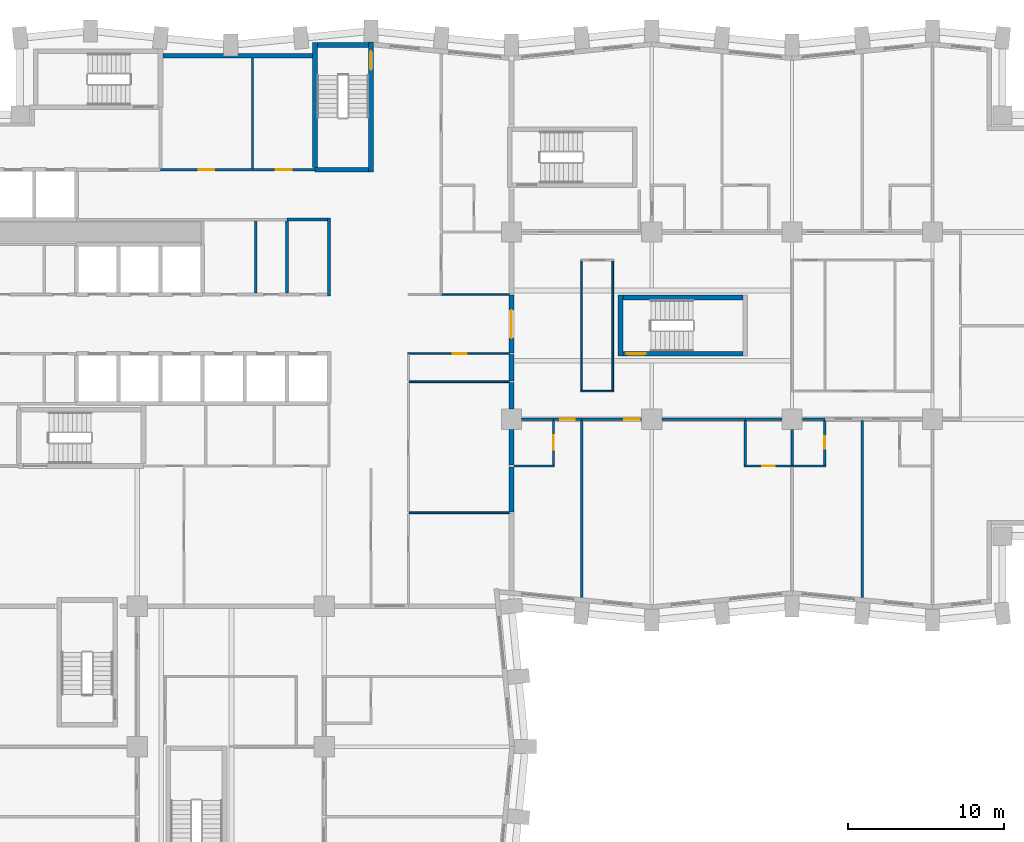
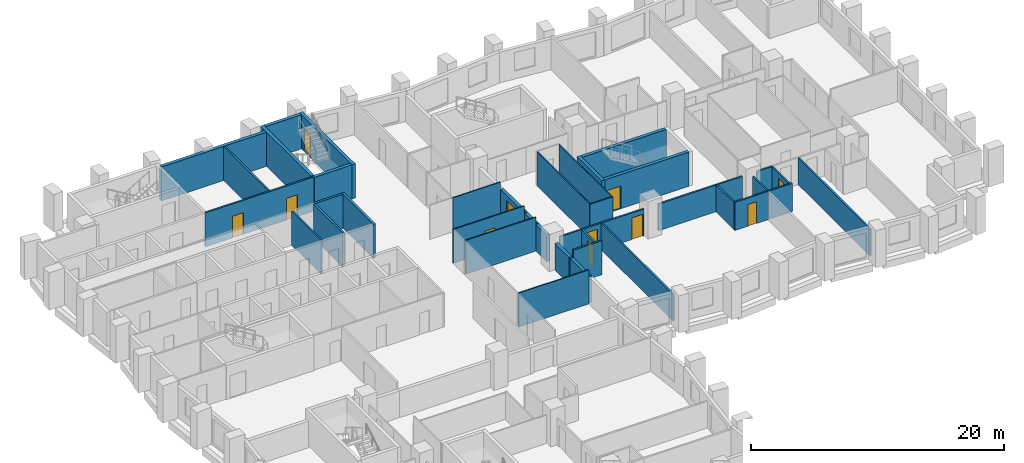
# One storey, part 7 of 12: 41 walls, 11 doors, 11 openings.
"""IFC4 building model written with IfcOpenShell, lengths in metres."""

from ifc_helpers import new_model, si_unit, direction, frame, frame_2d, origin, place, context, subcontext, project, spatial, rectangle, extrude, material, layer, layer_set, type_object, element, fill, save


model = new_model("IFC4")

# Units and contexts
model_context = context("Model", 3, precision=1e-05, world=origin(), true_north=direction((0.0, 1.0)))
body_context = subcontext(model_context, "Body", "Model", "MODEL_VIEW")
ifc_project = project(units=[si_unit("LENGTHUNIT", "METRE"), si_unit("AREAUNIT", "SQUARE_METRE"), si_unit("VOLUMEUNIT", "CUBIC_METRE"), si_unit("PLANEANGLEUNIT", "RADIAN"), si_unit("MASSUNIT", "GRAM", prefix="KILO")], contexts=[model_context])

# Site, building, storey
site_placement = place(None, origin())
site = spatial("IfcSite", under=ifc_project, at=site_placement, CompositionType="ELEMENT")
building_placement = place(site_placement, origin())
building = spatial("IfcBuilding", under=site, at=building_placement, Name="Brondeck Convention Tower", CompositionType="ELEMENT")
storey_placement = place(building_placement, frame((0.0, 0.0, 62.699951171875)))
storey = spatial("IfcBuildingStorey", under=building, at=storey_placement, Name="L13", CompositionType="ELEMENT", Elevation=62.699951171875)

# Walls
ifc_material_1 = material(Name="Concrete compartment wall C30/37", Category="concrete")
ifc_layer_1 = layer(ifc_material_1, 0.300048828125)
ifc_layer_set_1 = layer_set([ifc_layer_1], Name="Compartment wall 300")
wall_type_1 = type_object("IfcWallType", Name="Compartment wall 300", PredefinedType="PARTITIONING", material=ifc_layer_set_1)
wall_1_placement = place(storey_placement, frame((36.0, 35.925048828125, 0.0), z_axis=(0.0, 0.0, 1.0), x_axis=(0.0, -1.0, 0.0)))
element("IfcWall", 1, at=wall_1_placement, inside=storey, type_object=wall_type_1, Name="FLR-L13-W047", PredefinedType="PARTITIONING", context=body_context, shape_type="SweptSolid", body=[
    extrude(rectangle(XDim=2.875, YDim=0.300048828125, at=frame_2d((1.4375, 0.0))), origin(), (0.0, 0.0, 1.0), 2.580078125),
])
wall_2_placement = place(storey_placement, frame((36.0, 38.344970703125, 0.0), z_axis=(0.0, 0.0, 1.0), x_axis=(0.0, -1.0, 0.0)))
element("IfcWall", 2, at=wall_2_placement, inside=storey, type_object=wall_type_1, Name="FLR-L13-W056", PredefinedType="PARTITIONING", context=body_context, shape_type="SweptSolid", body=[
    extrude(rectangle(XDim=2.27001953125, YDim=0.300048828125, at=frame_2d((1.135009765625, 0.0))), origin(), (0.0, 0.0, 1.0), 2.580078125),
])
wall_3_placement = place(storey_placement, frame((36.0, 41.35009765625, 0.0), z_axis=(0.0, 0.0, 1.0), x_axis=(0.0, -1.0, 0.0)))
element("IfcWall", 3, at=wall_3_placement, inside=storey, type_object=wall_type_1, Name="FLR-L13-W079", PredefinedType="PARTITIONING", context=body_context, shape_type="SweptSolid", body=[
    extrude(rectangle(XDim=1.695068359375, YDim=0.300048828125, at=frame_2d((0.84765625, 0.0))), origin(), (0.0, 0.0, 1.0), 2.580078125),
])
wall_4_placement = place(storey_placement, frame((36.0, 43.14990234375, 0.0), z_axis=(0.0, 0.0, 1.0), x_axis=(0.0, -1.0, 0.0)))
element("IfcWall", 4, at=wall_4_placement, inside=storey, type_object=wall_type_1, Name="FLR-L13-W082", PredefinedType="PARTITIONING", context=body_context, shape_type="SweptSolid", body=[
    extrude(rectangle(XDim=1.699951171875, YDim=0.300048828125, at=frame_2d((0.85009765625, 0.0))), origin(), (0.0, 0.0, 1.0), 2.580078125),
])

# Wall, opening, door
wall_5_placement = place(storey_placement, frame((36.0, 46.949951171875, 0.0), z_axis=(0.0, 0.0, 1.0), x_axis=(0.0, -1.0, 0.0)))
wall_5 = element("IfcWall", 5, at=wall_5_placement, inside=storey, type_object=wall_type_1, Name="FLR-L13-W086", PredefinedType="PARTITIONING", context=body_context, shape_type="SweptSolid", body=[
    extrude(rectangle(XDim=3.699951171875, YDim=0.300048828125, at=frame_2d((1.85009765625, 0.0))), origin(), (0.0, 0.0, 1.0), 2.580078125),
])
opening_1_placement = place(wall_5_placement, frame((0.949951171875, 0.0, 0.0)))
opening_1 = element("IfcOpeningElement", 6, at=opening_1_placement, cuts=wall_5, Name="Opening H3-041", PredefinedType="OPENING", context=body_context, shape_type="SweptSolid", body=[
    extrude(rectangle(XDim=1.800048828125, YDim=2.10009765625, at=frame_2d((0.89990234375, 1.050048828125))), frame((0.0, 0.159912109375, 0.0), z_axis=(0.0, -1.0, 0.0), x_axis=(1.0, 0.0, 0.0)), (0.0, 0.0, 1.0), 0.320068359375),
])
ifc_material_2 = material(Name="Steel fire door pair", Category="steel")
door_type_1 = type_object("IfcDoorType", Name="Fire door pair 1800", OperationType="DOUBLE_DOOR_SINGLE_SWING", PredefinedType="DOOR", material=ifc_material_2)
door_1_placement = place(opening_1_placement, origin())
door_1 = element("IfcDoor", 7, at=door_1_placement, inside=storey, type_object=door_type_1, Name="Door H3-041", OperationType="DOUBLE_DOOR_SINGLE_SWING", OverallHeight=2.10009765625, OverallWidth=1.800048828125, PredefinedType="DOOR", context=body_context, shape_type="SweptSolid", body=[
    extrude(rectangle(XDim=1.800048828125, YDim=2.10009765625, at=frame_2d((0.89990234375, 1.050048828125))), frame((0.0, 0.02490234375, 0.0), z_axis=(0.0, -1.0, 0.0), x_axis=(1.0, 0.0, 0.0)), (0.0, 0.0, 1.0), 0.050048828125),
])
fill(opening_1, door_1)

# Walls
ifc_material_3 = material(Name="Concrete C80/95", Category="concrete")
ifc_layer_2 = layer(ifc_material_3, 0.199951171875)
ifc_layer_set_2 = layer_set([ifc_layer_2], Name="Core beam-seat wall 200 Concrete C80/95")
wall_type_2 = type_object("IfcWallType", Name="Core beam-seat wall 200 Concrete C80/95", PredefinedType="SHEAR", material=ifc_layer_set_2)
wall_6_placement = place(storey_placement, frame((24.300048828125, 46.89990234375, 0.0), z_axis=(0.0, 0.0, 1.0), x_axis=(0.0, 1.0, 0.0)))
element("IfcWall", 8, at=wall_6_placement, inside=storey, type_object=wall_type_2, Name="L13 core wall", PredefinedType="SHEAR", context=body_context, shape_type="SweptSolid", body=[
    extrude(rectangle(XDim=5.0, YDim=0.199951171875, at=frame_2d((2.5, 0.0))), origin(), (0.0, 0.0, 1.0), 3.300048828125),
])
ifc_layer_3 = layer(ifc_material_3, 0.300048828125)
ifc_layer_set_3 = layer_set([ifc_layer_3], Name="Core outer wall 300 Concrete C80/95")
wall_type_3 = type_object("IfcWallType", Name="Core outer wall 300 Concrete C80/95", PredefinedType="SHEAR", material=ifc_layer_set_3)
wall_7_placement = place(storey_placement, frame((13.64990234375, 62.300048828125, 0.0), z_axis=(0.0, 0.0, 1.0), x_axis=(1.0, 0.0, 0.0)))
element("IfcWall", 9, at=wall_7_placement, inside=storey, type_object=wall_type_3, Name="L13 core wall", PredefinedType="SHEAR", context=body_context, shape_type="SweptSolid", body=[
    extrude(rectangle(XDim=9.60009765625, YDim=0.300048828125, at=frame_2d((4.800048828125, 0.0))), origin(), (0.0, 0.0, 1.0), 3.300048828125),
])

# Wall, openings, doors
ifc_material_4 = material(Name="Fire-rated gypsum board partition")
ifc_layer_4 = layer(ifc_material_4, 0.14990234375)
ifc_layer_set_4 = layer_set([ifc_layer_4], Name="Core partition 150 EI 60")
wall_type_4 = type_object("IfcWallType", Name="Core partition 150 EI 60", PredefinedType="PARTITIONING", material=ifc_layer_set_4)
wall_8_placement = place(storey_placement, frame((13.5, 55.0, 0.0), z_axis=(0.0, 0.0, 1.0), x_axis=(1.0, 0.0, 0.0)))
wall_8 = element("IfcWall", 10, at=wall_8_placement, inside=storey, type_object=wall_type_4, Name="L13 core wall", PredefinedType="PARTITIONING", context=body_context, shape_type="SweptSolid", body=[
    extrude(rectangle(XDim=9.89990234375, YDim=0.14990234375, at=frame_2d((4.949951171875, 0.0))), origin(), (0.0, 0.0, 1.0), 3.300048828125),
])
opening_2_placement = place(wall_8_placement, frame((2.449951171875, 0.0, 0.0)))
opening_2 = element("IfcOpeningElement", 11, at=opening_2_placement, cuts=wall_8, Name="Opening C10-13", PredefinedType="OPENING", context=body_context, shape_type="SweptSolid", body=[
    extrude(rectangle(XDim=1.0, YDim=2.10009765625, at=frame_2d((0.5, 1.050048828125))), frame((0.0, 0.0849609375, 0.0), z_axis=(0.0, -1.0, 0.0), x_axis=(1.0, 0.0, 0.0)), (0.0, 0.0, 1.0), 0.169921875),
])
opening_3_placement = place(wall_8_placement, frame((7.39990234375, 0.0, 0.0)))
opening_3 = element("IfcOpeningElement", 12, at=opening_3_placement, cuts=wall_8, Name="Opening C10-14", PredefinedType="OPENING", context=body_context, shape_type="SweptSolid", body=[
    extrude(rectangle(XDim=1.0, YDim=2.10009765625, at=frame_2d((0.5, 1.050048828125))), frame((0.0, 0.0849609375, 0.0), z_axis=(0.0, -1.0, 0.0), x_axis=(1.0, 0.0, 0.0)), (0.0, 0.0, 1.0), 0.169921875),
])
ifc_material_5 = material(Name="Steel fire door", Category="steel")
door_type_2 = type_object("IfcDoorType", Name="Room door 1000x2100 EI 60", OperationType="NOTDEFINED", PredefinedType="DOOR", material=ifc_material_5)
door_2_placement = place(opening_2_placement, origin())
door_2 = element("IfcDoor", 13, at=door_2_placement, inside=storey, type_object=door_type_2, Name="L13 Room door NE-1", OperationType="SINGLE_SWING_LEFT", OverallHeight=2.10009765625, OverallWidth=1.0, PredefinedType="DOOR", context=body_context, shape_type="SweptSolid", body=[
    extrude(rectangle(XDim=1.0, YDim=2.10009765625, at=frame_2d((0.5, 1.050048828125))), frame((0.0, 0.02490234375, 0.0), z_axis=(0.0, -1.0, 0.0), x_axis=(1.0, 0.0, 0.0)), (0.0, 0.0, 1.0), 0.050048828125),
])
fill(opening_2, door_2)
door_3_placement = place(opening_3_placement, origin())
door_3 = element("IfcDoor", 14, at=door_3_placement, inside=storey, type_object=door_type_2, Name="L13 Room door NE-2", OperationType="SINGLE_SWING_RIGHT", OverallHeight=2.10009765625, OverallWidth=1.0, PredefinedType="DOOR", context=body_context, shape_type="SweptSolid", body=[
    extrude(rectangle(XDim=1.0, YDim=2.10009765625, at=frame_2d((0.5, 1.050048828125))), frame((0.0, 0.02490234375, 0.0), z_axis=(0.0, -1.0, 0.0), x_axis=(1.0, 0.0, 0.0)), (0.0, 0.0, 1.0), 0.050048828125),
])
fill(opening_3, door_3)

# Walls
wall_9_placement = place(storey_placement, frame((19.39990234375, 55.074951171875, 0.0), z_axis=(0.0, 0.0, 1.0), x_axis=(0.0, 1.0, 0.0)))
element("IfcWall", 15, at=wall_9_placement, inside=storey, type_object=wall_type_4, Name="L13 core wall", PredefinedType="PARTITIONING", context=body_context, shape_type="SweptSolid", body=[
    extrude(rectangle(XDim=7.074951171875, YDim=0.14990234375, at=frame_2d((3.53759765625, 0.0))), origin(), (0.0, 0.0, 1.0), 3.300048828125),
])
wall_10_placement = place(storey_placement, frame((19.60009765625, 47.10009765625, 0.0), z_axis=(0.0, 0.0, 1.0), x_axis=(0.0, 1.0, 0.0)))
element("IfcWall", 16, at=wall_10_placement, inside=storey, type_object=wall_type_4, Name="L13 core wall", PredefinedType="PARTITIONING", context=body_context, shape_type="SweptSolid", body=[
    extrude(rectangle(XDim=4.625, YDim=0.14990234375, at=frame_2d((2.3125, 0.0))), origin(), (0.0, 0.0, 1.0), 3.300048828125),
])
ifc_material_6 = material(Name="Double gypsum board acoustic wall")
ifc_layer_5 = layer(ifc_material_6, 0.14990234375)
ifc_layer_set_5 = layer_set([ifc_layer_5], Name="Guest room party wall 150")
wall_type_5 = type_object("IfcWallType", Name="Guest room party wall 150", PredefinedType="PARTITIONING", material=ifc_layer_set_5)
wall_11_placement = place(storey_placement, frame((36.14990234375, 36.0, 0.0), z_axis=(0.0, 0.0, 1.0), x_axis=(1.0, 0.0, 0.0)))
element("IfcWall", 17, at=wall_11_placement, inside=storey, type_object=wall_type_5, Name="FLR-L13-W050", PredefinedType="PARTITIONING", context=body_context, shape_type="SweptSolid", body=[
    extrude(rectangle(XDim=2.625, YDim=0.14990234375, at=frame_2d((1.3125, 0.0))), origin(), (0.0, 0.0, 1.0), 3.280029296875),
])

# Wall, opening, door
wall_12_placement = place(storey_placement, frame((50.925048828125, 36.0, 0.0), z_axis=(0.0, 0.0, 1.0), x_axis=(1.0, 0.0, 0.0)))
wall_12 = element("IfcWall", 18, at=wall_12_placement, inside=storey, type_object=wall_type_5, Name="FLR-L13-W051", PredefinedType="PARTITIONING", context=body_context, shape_type="SweptSolid", body=[
    extrude(rectangle(XDim=3.074951171875, YDim=0.14990234375, at=frame_2d((1.53759765625, 0.0))), origin(), (0.0, 0.0, 1.0), 2.72998046875),
])
opening_4_placement = place(wall_12_placement, frame((1.175048828125, 0.0, 0.0)))
opening_4 = element("IfcOpeningElement", 19, at=opening_4_placement, cuts=wall_12, Name="Opening H3-011", PredefinedType="OPENING", context=body_context, shape_type="SweptSolid", body=[
    extrude(rectangle(XDim=0.800048828125, YDim=2.10009765625, at=frame_2d((0.39990234375, 1.050048828125))), frame((0.0, 0.0849609375, 0.0), z_axis=(0.0, -1.0, 0.0), x_axis=(1.0, 0.0, 0.0)), (0.0, 0.0, 1.0), 0.169921875),
])
ifc_material_7 = material(Name="Solid timber door leaf", Category="wood")
door_type_3 = type_object("IfcDoorType", Name="En-suite door 800", OperationType="NOTDEFINED", PredefinedType="DOOR", material=ifc_material_7)
door_4_placement = place(opening_4_placement, origin())
door_4 = element("IfcDoor", 20, at=door_4_placement, inside=storey, type_object=door_type_3, Name="Door H3-011", OperationType="SINGLE_SWING_RIGHT", OverallHeight=2.10009765625, OverallWidth=0.800048828125, PredefinedType="DOOR", context=body_context, shape_type="SweptSolid", body=[
    extrude(rectangle(XDim=0.800048828125, YDim=2.10009765625, at=frame_2d((0.39990234375, 1.050048828125))), frame((0.0, 0.02490234375, 0.0), z_axis=(0.0, -1.0, 0.0), x_axis=(1.0, 0.0, 0.0)), (0.0, 0.0, 1.0), 0.050048828125),
])
fill(opening_4, door_4)

# Wall
wall_13_placement = place(storey_placement, frame((54.0, 36.0, 0.0), z_axis=(0.0, 0.0, 1.0), x_axis=(1.0, 0.0, 0.0)))
element("IfcWall", 21, at=wall_13_placement, inside=storey, type_object=wall_type_5, Name="FLR-L13-W052", PredefinedType="PARTITIONING", context=body_context, shape_type="SweptSolid", body=[
    extrude(rectangle(XDim=2.175048828125, YDim=0.14990234375, at=frame_2d((1.08740234375, 0.0))), origin(), (0.0, 0.0, 1.0), 2.72998046875),
])

# Wall, opening, door
wall_14_placement = place(storey_placement, frame((38.699951171875, 36.074951171875, 0.0), z_axis=(0.0, 0.0, 1.0), x_axis=(0.0, 1.0, 0.0)))
wall_14 = element("IfcWall", 22, at=wall_14_placement, inside=storey, type_object=wall_type_5, Name="FLR-L13-W054", PredefinedType="PARTITIONING", context=body_context, shape_type="SweptSolid", body=[
    extrude(rectangle(XDim=2.85009765625, YDim=0.14990234375, at=frame_2d((1.425048828125, 0.0))), origin(), (0.0, 0.0, 1.0), 2.580078125),
])
opening_5_placement = place(wall_14_placement, frame((0.949951171875, 0.0, 0.0)))
opening_5 = element("IfcOpeningElement", 23, at=opening_5_placement, cuts=wall_14, Name="Opening H3-009", PredefinedType="OPENING", context=body_context, shape_type="SweptSolid", body=[
    extrude(rectangle(XDim=0.949951171875, YDim=2.10009765625, at=frame_2d((0.47509765625, 1.050048828125))), frame((0.0, 0.0849609375, 0.0), z_axis=(0.0, -1.0, 0.0), x_axis=(1.0, 0.0, 0.0)), (0.0, 0.0, 1.0), 0.169921875),
])
door_type_4 = type_object("IfcDoorType", Name="Accessible door 950", OperationType="NOTDEFINED", PredefinedType="DOOR", material=ifc_material_7)
door_5_placement = place(opening_5_placement, origin())
door_5 = element("IfcDoor", 24, at=door_5_placement, inside=storey, type_object=door_type_4, Name="Door H3-009", OperationType="SINGLE_SWING_LEFT", OverallHeight=2.10009765625, OverallWidth=0.949951171875, PredefinedType="DOOR", context=body_context, shape_type="SweptSolid", body=[
    extrude(rectangle(XDim=0.949951171875, YDim=2.10009765625, at=frame_2d((0.47509765625, 1.050048828125))), frame((0.0, 0.02490234375, 0.0), z_axis=(0.0, -1.0, 0.0), x_axis=(1.0, 0.0, 0.0)), (0.0, 0.0, 1.0), 0.050048828125),
])
fill(opening_5, door_5)

wall_15_placement = place(storey_placement, frame((56.10009765625, 36.074951171875, 0.0), z_axis=(0.0, 0.0, 1.0), x_axis=(0.0, 1.0, 0.0)))
wall_15 = element("IfcWall", 25, at=wall_15_placement, inside=storey, type_object=wall_type_5, Name="FLR-L13-W055", PredefinedType="PARTITIONING", context=body_context, shape_type="SweptSolid", body=[
    extrude(rectangle(XDim=2.85009765625, YDim=0.14990234375, at=frame_2d((1.425048828125, 0.0))), origin(), (0.0, 0.0, 1.0), 2.580078125),
])
opening_6_placement = place(wall_15_placement, frame((1.02490234375, 0.0, 0.0)))
opening_6 = element("IfcOpeningElement", 26, at=opening_6_placement, cuts=wall_15, Name="Opening H3-013", PredefinedType="OPENING", context=body_context, shape_type="SweptSolid", body=[
    extrude(rectangle(XDim=0.800048828125, YDim=2.10009765625, at=frame_2d((0.39990234375, 1.050048828125))), frame((0.0, 0.0849609375, 0.0), z_axis=(0.0, -1.0, 0.0), x_axis=(1.0, 0.0, 0.0)), (0.0, 0.0, 1.0), 0.169921875),
])
door_6_placement = place(opening_6_placement, origin())
door_6 = element("IfcDoor", 27, at=door_6_placement, inside=storey, type_object=door_type_3, Name="Door H3-013", OperationType="SINGLE_SWING_LEFT", OverallHeight=2.10009765625, OverallWidth=0.800048828125, PredefinedType="DOOR", context=body_context, shape_type="SweptSolid", body=[
    extrude(rectangle(XDim=0.800048828125, YDim=2.10009765625, at=frame_2d((0.39990234375, 1.050048828125))), frame((0.0, 0.02490234375, 0.0), z_axis=(0.0, -1.0, 0.0), x_axis=(1.0, 0.0, 0.0)), (0.0, 0.0, 1.0), 0.050048828125),
])
fill(opening_6, door_6)

# Walls
wall_16_placement = place(storey_placement, frame((54.0, 38.344970703125, 0.0), z_axis=(0.0, 0.0, 1.0), x_axis=(0.0, -1.0, 0.0)))
element("IfcWall", 28, at=wall_16_placement, inside=storey, type_object=wall_type_5, Name="FLR-L13-W057", PredefinedType="PARTITIONING", context=body_context, shape_type="SweptSolid", body=[
    extrude(rectangle(XDim=2.27001953125, YDim=0.14990234375, at=frame_2d((1.135009765625, 0.0))), origin(), (0.0, 0.0, 1.0), 2.72998046875),
])
wall_17_placement = place(storey_placement, frame((40.5, 38.925048828125, 0.0), z_axis=(0.0, 0.0, 1.0), x_axis=(0.0, -1.0, 0.0)))
element("IfcWall", 29, at=wall_17_placement, inside=storey, type_object=wall_type_5, Name="FLR-L13-W059", PredefinedType="PARTITIONING", context=body_context, shape_type="SweptSolid", body=[
    extrude(rectangle(XDim=11.35009765625, YDim=0.14990234375, at=frame_2d((5.675048828125, 0.0))), origin(), (0.0, 0.0, 1.0), 2.580078125),
])
wall_18_placement = place(storey_placement, frame((51.0, 38.925048828125, 0.0), z_axis=(0.0, 0.0, 1.0), x_axis=(0.0, -1.0, 0.0)))
element("IfcWall", 30, at=wall_18_placement, inside=storey, type_object=wall_type_5, Name="FLR-L13-W060", PredefinedType="PARTITIONING", context=body_context, shape_type="SweptSolid", body=[
    extrude(rectangle(XDim=2.85009765625, YDim=0.14990234375, at=frame_2d((1.425048828125, 0.0))), origin(), (0.0, 0.0, 1.0), 2.580078125),
])
wall_19_placement = place(storey_placement, frame((58.5, 38.925048828125, 0.0), z_axis=(0.0, 0.0, 1.0), x_axis=(0.0, -1.0, 0.0)))
element("IfcWall", 31, at=wall_19_placement, inside=storey, type_object=wall_type_5, Name="FLR-L13-W061", PredefinedType="PARTITIONING", context=body_context, shape_type="SweptSolid", body=[
    extrude(rectangle(XDim=11.35009765625, YDim=0.14990234375, at=frame_2d((5.675048828125, 0.0))), origin(), (0.0, 0.0, 1.0), 2.580078125),
])
wall_20_placement = place(storey_placement, frame((38.699951171875, 39.0, 0.0), z_axis=(0.0, 0.0, 1.0), x_axis=(-1.0, 0.0, 0.0)))
element("IfcWall", 32, at=wall_20_placement, inside=storey, type_object=wall_type_5, Name="FLR-L13-W063", PredefinedType="PARTITIONING", context=body_context, shape_type="SweptSolid", body=[
    extrude(rectangle(XDim=2.044921875, YDim=0.14990234375, at=frame_2d((1.0224609375, 0.0))), origin(), (0.0, 0.0, 1.0), 2.580078125),
])

# Wall, opening, door
wall_21_placement = place(storey_placement, frame((40.5, 39.0, 0.0), z_axis=(0.0, 0.0, 1.0), x_axis=(-1.0, 0.0, 0.0)))
wall_21 = element("IfcWall", 33, at=wall_21_placement, inside=storey, type_object=wall_type_5, Name="FLR-L13-W064", PredefinedType="PARTITIONING", context=body_context, shape_type="SweptSolid", body=[
    extrude(rectangle(XDim=1.800048828125, YDim=0.14990234375, at=frame_2d((0.89990234375, 0.0))), origin(), (0.0, 0.0, 1.0), 2.580078125),
])
opening_7_placement = place(wall_21_placement, frame((0.425048828125, 0.0, 0.0)))
opening_7 = element("IfcOpeningElement", 34, at=opening_7_placement, cuts=wall_21, Name="Opening H3-008", PredefinedType="OPENING", context=body_context, shape_type="SweptSolid", body=[
    extrude(rectangle(XDim=0.949951171875, YDim=2.10009765625, at=frame_2d((0.47509765625, 1.050048828125))), frame((0.0, 0.0849609375, 0.0), z_axis=(0.0, -1.0, 0.0), x_axis=(1.0, 0.0, 0.0)), (0.0, 0.0, 1.0), 0.169921875),
])
door_7_placement = place(opening_7_placement, origin())
door_7 = element("IfcDoor", 35, at=door_7_placement, inside=storey, type_object=door_type_4, Name="Door H3-008", OperationType="SINGLE_SWING_LEFT", OverallHeight=2.10009765625, OverallWidth=0.949951171875, PredefinedType="DOOR", context=body_context, shape_type="SweptSolid", body=[
    extrude(rectangle(XDim=0.949951171875, YDim=2.10009765625, at=frame_2d((0.47509765625, 1.050048828125))), frame((0.0, 0.02490234375, 0.0), z_axis=(0.0, -1.0, 0.0), x_axis=(1.0, 0.0, 0.0)), (0.0, 0.0, 1.0), 0.050048828125),
])
fill(opening_7, door_7)

wall_22_placement = place(storey_placement, frame((44.344970703125, 39.0, 0.0), z_axis=(0.0, 0.0, 1.0), x_axis=(-1.0, 0.0, 0.0)))
wall_22 = element("IfcWall", 36, at=wall_22_placement, inside=storey, type_object=wall_type_5, Name="FLR-L13-W065", PredefinedType="PARTITIONING", context=body_context, shape_type="SweptSolid", body=[
    extrude(rectangle(XDim=3.844970703125, YDim=0.14990234375, at=frame_2d((1.92236328125, 0.0))), origin(), (0.0, 0.0, 1.0), 2.580078125),
])
opening_8_placement = place(wall_22_placement, frame((0.10009765625, 0.0, 0.0)))
opening_8 = element("IfcOpeningElement", 37, at=opening_8_placement, cuts=wall_22, Name="Opening H3-010", PredefinedType="OPENING", context=body_context, shape_type="SweptSolid", body=[
    extrude(rectangle(XDim=1.0, YDim=2.10009765625, at=frame_2d((0.5, 1.050048828125))), frame((0.0, 0.0849609375, 0.0), z_axis=(0.0, -1.0, 0.0), x_axis=(1.0, 0.0, 0.0)), (0.0, 0.0, 1.0), 0.169921875),
])
ifc_material_8 = material(Name="Solid timber fire door leaf", Category="wood")
door_type_5 = type_object("IfcDoorType", Name="Guest room door 1000", OperationType="NOTDEFINED", PredefinedType="DOOR", material=ifc_material_8)
door_8_placement = place(opening_8_placement, origin())
door_8 = element("IfcDoor", 38, at=door_8_placement, inside=storey, type_object=door_type_5, Name="Door H3-010", OperationType="SINGLE_SWING_RIGHT", OverallHeight=2.10009765625, OverallWidth=1.0, PredefinedType="DOOR", context=body_context, shape_type="SweptSolid", body=[
    extrude(rectangle(XDim=1.0, YDim=2.10009765625, at=frame_2d((0.5, 1.050048828125))), frame((0.0, 0.02490234375, 0.0), z_axis=(0.0, -1.0, 0.0), x_axis=(1.0, 0.0, 0.0)), (0.0, 0.0, 1.0), 0.050048828125),
])
fill(opening_8, door_8)

# Walls
wall_23_placement = place(storey_placement, frame((51.0, 39.0, 0.0), z_axis=(0.0, 0.0, 1.0), x_axis=(-1.0, 0.0, 0.0)))
element("IfcWall", 39, at=wall_23_placement, inside=storey, type_object=wall_type_5, Name="FLR-L13-W066", PredefinedType="PARTITIONING", context=body_context, shape_type="SweptSolid", body=[
    extrude(rectangle(XDim=5.344970703125, YDim=0.14990234375, at=frame_2d((2.67236328125, 0.0))), origin(), (0.0, 0.0, 1.0), 2.580078125),
])
wall_24_placement = place(storey_placement, frame((53.344970703125, 39.0, 0.0), z_axis=(0.0, 0.0, 1.0), x_axis=(-1.0, 0.0, 0.0)))
element("IfcWall", 40, at=wall_24_placement, inside=storey, type_object=wall_type_5, Name="FLR-L13-W067", PredefinedType="PARTITIONING", context=body_context, shape_type="SweptSolid", body=[
    extrude(rectangle(XDim=2.344970703125, YDim=0.14990234375, at=frame_2d((1.17236328125, 0.0))), origin(), (0.0, 0.0, 1.0), 2.580078125),
])
wall_25_placement = place(storey_placement, frame((56.10009765625, 39.0, 0.0), z_axis=(0.0, 0.0, 1.0), x_axis=(-1.0, 0.0, 0.0)))
element("IfcWall", 41, at=wall_25_placement, inside=storey, type_object=wall_type_5, Name="FLR-L13-W068", PredefinedType="PARTITIONING", context=body_context, shape_type="SweptSolid", body=[
    extrude(rectangle(XDim=1.445068359375, YDim=0.14990234375, at=frame_2d((0.72265625, 0.0))), origin(), (0.0, 0.0, 1.0), 2.580078125),
])
ifc_layer_6 = layer(ifc_material_4, 0.199951171875)
ifc_layer_set_6 = layer_set([ifc_layer_6], Name="Riser wall 200 EI 120")
wall_type_6 = type_object("IfcWallType", Name="Riser wall 200 EI 120", PredefinedType="PARTITIONING", material=ifc_layer_set_6)
wall_26_placement = place(storey_placement, frame((21.60009765625, 51.800048828125, 0.0), z_axis=(0.0, 0.0, 1.0), x_axis=(1.0, 0.0, 0.0)))
element("IfcWall", 42, at=wall_26_placement, inside=storey, type_object=wall_type_6, Name="L13 core wall", PredefinedType="PARTITIONING", context=body_context, shape_type="SweptSolid", body=[
    extrude(rectangle(XDim=2.599853515625, YDim=0.199951171875, at=frame_2d((1.2998046875, 0.0))), origin(), (0.0, 0.0, 1.0), 3.300048828125),
])
wall_27_placement = place(storey_placement, frame((21.60009765625, 47.10009765625, 0.0), z_axis=(0.0, 0.0, 1.0), x_axis=(0.0, 1.0, 0.0)))
element("IfcWall", 43, at=wall_27_placement, inside=storey, type_object=wall_type_6, Name="L13 core wall", PredefinedType="PARTITIONING", context=body_context, shape_type="SweptSolid", body=[
    extrude(rectangle(XDim=4.599853515625, YDim=0.199951171875, at=frame_2d((2.2998046875, 0.0))), origin(), (0.0, 0.0, 1.0), 3.300048828125),
])
ifc_material_9 = material(Name="Gypsum board partition on steel studs", Category="steel")
ifc_layer_7 = layer(ifc_material_9, 0.10009765625)
ifc_layer_set_7 = layer_set([ifc_layer_7], Name="Room partition 100")
wall_type_7 = type_object("IfcWallType", Name="Room partition 100", PredefinedType="PARTITIONING", material=ifc_layer_set_7)
wall_28_placement = place(storey_placement, frame((35.85009765625, 33.0, 0.0), z_axis=(0.0, 0.0, 1.0), x_axis=(-1.0, 0.0, 0.0)))
element("IfcWall", 44, at=wall_28_placement, inside=storey, type_object=wall_type_7, Name="FLR-L13-W045", PredefinedType="PARTITIONING", context=body_context, shape_type="SweptSolid", body=[
    extrude(rectangle(XDim=6.400146484375, YDim=0.10009765625, at=frame_2d((3.2001953125, 0.0))), origin(), (0.0, 0.0, 1.0), 3.280029296875),
])
wall_29_placement = place(storey_placement, frame((40.449951171875, 40.800048828125, 0.0), z_axis=(0.0, 0.0, 1.0), x_axis=(1.0, 0.0, 0.0)))
element("IfcWall", 45, at=wall_29_placement, inside=storey, type_object=wall_type_7, Name="FLR-L13-W073", PredefinedType="PARTITIONING", context=body_context, shape_type="SweptSolid", body=[
    extrude(rectangle(XDim=2.10009765625, YDim=0.10009765625, at=frame_2d((1.050048828125, 0.0))), origin(), (0.0, 0.0, 1.0), 3.280029296875),
])
wall_30_placement = place(storey_placement, frame((35.85009765625, 41.39990234375, 0.0), z_axis=(0.0, 0.0, 1.0), x_axis=(-1.0, 0.0, 0.0)))
element("IfcWall", 46, at=wall_30_placement, inside=storey, type_object=wall_type_7, Name="FLR-L13-W080", PredefinedType="PARTITIONING", context=body_context, shape_type="SweptSolid", body=[
    extrude(rectangle(XDim=6.400146484375, YDim=0.10009765625, at=frame_2d((3.2001953125, 0.0))), origin(), (0.0, 0.0, 1.0), 3.280029296875),
])

# Wall, opening, door
wall_31_placement = place(storey_placement, frame((35.85009765625, 43.199951171875, 0.0), z_axis=(0.0, 0.0, 1.0), x_axis=(-1.0, 0.0, 0.0)))
wall_31 = element("IfcWall", 47, at=wall_31_placement, inside=storey, type_object=wall_type_7, Name="FLR-L13-W083", PredefinedType="PARTITIONING", context=body_context, shape_type="SweptSolid", body=[
    extrude(rectangle(XDim=6.5, YDim=0.10009765625, at=frame_2d((3.25, 0.0))), origin(), (0.0, 0.0, 1.0), 3.280029296875),
])
opening_9_placement = place(wall_31_placement, frame((2.699951171875, 0.0, 0.0)))
opening_9 = element("IfcOpeningElement", 48, at=opening_9_placement, cuts=wall_31, Name="Opening H3-036", PredefinedType="OPENING", context=body_context, shape_type="SweptSolid", body=[
    extrude(rectangle(XDim=0.89990234375, YDim=2.10009765625, at=frame_2d((0.449951171875, 1.050048828125))), frame((0.0, 0.06005859375, 0.0), z_axis=(0.0, -1.0, 0.0), x_axis=(1.0, 0.0, 0.0)), (0.0, 0.0, 1.0), 0.1201171875),
])
door_type_6 = type_object("IfcDoorType", Name="Single door 900", OperationType="NOTDEFINED", PredefinedType="DOOR", material=ifc_material_7)
door_9_placement = place(opening_9_placement, origin())
door_9 = element("IfcDoor", 49, at=door_9_placement, inside=storey, type_object=door_type_6, Name="Door H3-036", OperationType="SINGLE_SWING_LEFT", OverallHeight=2.10009765625, OverallWidth=0.89990234375, PredefinedType="DOOR", context=body_context, shape_type="SweptSolid", body=[
    extrude(rectangle(XDim=0.89990234375, YDim=2.10009765625, at=frame_2d((0.449951171875, 1.050048828125))), frame((0.0, 0.02490234375, 0.0), z_axis=(0.0, -1.0, 0.0), x_axis=(1.0, 0.0, 0.0)), (0.0, 0.0, 1.0), 0.050048828125),
])
fill(opening_9, door_9)

# Walls
wall_32_placement = place(storey_placement, frame((31.5, 47.0, 0.0), z_axis=(0.0, 0.0, 1.0), x_axis=(1.0, 0.0, 0.0)))
element("IfcWall", 50, at=wall_32_placement, inside=storey, type_object=wall_type_7, Name="FLR-L13-W088", PredefinedType="PARTITIONING", context=body_context, shape_type="SweptSolid", body=[
    extrude(rectangle(XDim=4.35009765625, YDim=0.10009765625, at=frame_2d((2.175048828125, 0.0))), origin(), (0.0, 0.0, 1.0), 3.280029296875),
])
for number, where, z_axis, x_axis, name in (
    (51, (40.5, 49.14990234375, 0.0), (0.0, 0.0, 1.0), (0.0, -1.0, 0.0), "FLR-L13-W090"),
    (52, (42.5, 49.14990234375, 0.0), (0.0, 0.0, 1.0), (0.0, -1.0, 0.0), "FLR-L13-W091"),
):
    element("IfcWall", number, at=place(storey_placement, frame(where, z_axis=z_axis, x_axis=x_axis)), inside=storey, type_object=wall_type_7, Name=name, PredefinedType="PARTITIONING", context=body_context, shape_type="SweptSolid", body=[
        extrude(rectangle(XDim=8.2998046875, YDim=0.10009765625, at=frame_2d((4.14990234375, 0.0))), origin(), (0.0, 0.0, 1.0), 3.280029296875),
    ])

# Wall, opening, door
ifc_layer_8 = layer(ifc_material_3, 0.300048828125)
ifc_layer_set_8 = layer_set([ifc_layer_8], Name="Stair enclosure wall 300 Concrete C80/95")
wall_type_8 = type_object("IfcWallType", Name="Stair enclosure wall 300 Concrete C80/95", PredefinedType="SHEAR", material=ifc_layer_set_8)
wall_33_placement = place(storey_placement, frame((43.14990234375, 43.199951171875, 0.0), z_axis=(0.0, 0.0, 1.0), x_axis=(1.0, 0.0, 0.0)))
wall_33 = element("IfcWall", 53, at=wall_33_placement, inside=storey, type_object=wall_type_8, Name="L13 core wall", PredefinedType="SHEAR", context=body_context, shape_type="SweptSolid", body=[
    extrude(rectangle(XDim=7.7001953125, YDim=0.300048828125, at=frame_2d((3.85009765625, 0.0))), origin(), (0.0, 0.0, 1.0), 3.300048828125),
])
opening_10_placement = place(wall_33_placement, frame((0.25, 0.0, 0.0)))
opening_10 = element("IfcOpeningElement", 54, at=opening_10_placement, cuts=wall_33, Name="Opening C10-19", PredefinedType="OPENING", context=body_context, shape_type="SweptSolid", body=[
    extrude(rectangle(XDim=1.199951171875, YDim=2.199951171875, at=frame_2d((0.60009765625, 1.10009765625))), frame((0.0, 0.159912109375, 0.0), z_axis=(0.0, -1.0, 0.0), x_axis=(1.0, 0.0, 0.0)), (0.0, 0.0, 1.0), 0.320068359375),
])
door_type_7 = type_object("IfcDoorType", Name="Stair door 1200x2200 EI 90", OperationType="NOTDEFINED", PredefinedType="DOOR", material=ifc_material_5)
door_10_placement = place(opening_10_placement, origin())
door_10 = element("IfcDoor", 55, at=door_10_placement, inside=storey, type_object=door_type_7, Name="L13 Stair door ST-AF", OperationType="SINGLE_SWING_RIGHT", OverallHeight=2.199951171875, OverallWidth=1.199951171875, PredefinedType="DOOR", context=body_context, shape_type="SweptSolid", body=[
    extrude(rectangle(XDim=1.199951171875, YDim=2.199951171875, at=frame_2d((0.60009765625, 1.10009765625))), frame((0.0, 0.02490234375, 0.0), z_axis=(0.0, -1.0, 0.0), x_axis=(1.0, 0.0, 0.0)), (0.0, 0.0, 1.0), 0.050048828125),
])
fill(opening_10, door_10)

# Walls
wall_34_placement = place(storey_placement, frame((43.14990234375, 46.800048828125, 0.0), z_axis=(0.0, 0.0, 1.0), x_axis=(1.0, 0.0, 0.0)))
element("IfcWall", 56, at=wall_34_placement, inside=storey, type_object=wall_type_8, Name="L13 core wall", PredefinedType="SHEAR", context=body_context, shape_type="SweptSolid", body=[
    extrude(rectangle(XDim=7.7001953125, YDim=0.300048828125, at=frame_2d((3.85009765625, 0.0))), origin(), (0.0, 0.0, 1.0), 3.300048828125),
])
wall_35_placement = place(storey_placement, frame((23.39990234375, 55.0, 0.0), z_axis=(0.0, 0.0, 1.0), x_axis=(1.0, 0.0, 0.0)))
element("IfcWall", 57, at=wall_35_placement, inside=storey, type_object=wall_type_8, Name="L13 core wall", PredefinedType="SHEAR", context=body_context, shape_type="SweptSolid", body=[
    extrude(rectangle(XDim=3.4501953125, YDim=0.300048828125, at=frame_2d((1.72509765625, 0.0))), origin(), (0.0, 0.0, 1.0), 3.300048828125),
])
wall_36_placement = place(storey_placement, frame((23.550048828125, 63.0, 0.0), z_axis=(0.0, 0.0, 1.0), x_axis=(1.0, 0.0, 0.0)))
element("IfcWall", 58, at=wall_36_placement, inside=storey, type_object=wall_type_8, Name="L13 core wall", PredefinedType="SHEAR", context=body_context, shape_type="SweptSolid", body=[
    extrude(rectangle(XDim=3.300048828125, YDim=0.300048828125, at=frame_2d((1.64990234375, 0.0))), origin(), (0.0, 0.0, 1.0), 3.300048828125),
])
wall_37_placement = place(storey_placement, frame((23.39990234375, 55.14990234375, 0.0), z_axis=(0.0, 0.0, 1.0), x_axis=(0.0, 1.0, 0.0)))
element("IfcWall", 59, at=wall_37_placement, inside=storey, type_object=wall_type_8, Name="L13 core wall", PredefinedType="SHEAR", context=body_context, shape_type="SweptSolid", body=[
    extrude(rectangle(XDim=8.0, YDim=0.300048828125, at=frame_2d((4.0, 0.0))), origin(), (0.0, 0.0, 1.0), 3.300048828125),
])

# Wall, opening, door
wall_38_placement = place(storey_placement, frame((27.0, 54.85009765625, 0.0), z_axis=(0.0, 0.0, 1.0), x_axis=(0.0, 1.0, 0.0)))
wall_38 = element("IfcWall", 60, at=wall_38_placement, inside=storey, type_object=wall_type_8, Name="L13 core wall", PredefinedType="SHEAR", context=body_context, shape_type="SweptSolid", body=[
    extrude(rectangle(XDim=8.349853515625, YDim=0.300048828125, at=frame_2d((4.1748046875, 0.0))), origin(), (0.0, 0.0, 1.0), 3.300048828125),
])
opening_11_placement = place(wall_38_placement, frame((6.550048828125, 0.0, 0.0)))
opening_11 = element("IfcOpeningElement", 61, at=opening_11_placement, cuts=wall_38, Name="Opening C10-16", PredefinedType="OPENING", context=body_context, shape_type="SweptSolid", body=[
    extrude(rectangle(XDim=1.199951171875, YDim=2.199951171875, at=frame_2d((0.60009765625, 1.10009765625))), frame((0.0, 0.159912109375, 0.0), z_axis=(0.0, -1.0, 0.0), x_axis=(1.0, 0.0, 0.0)), (0.0, 0.0, 1.0), 0.320068359375),
])
door_11_placement = place(opening_11_placement, origin())
door_11 = element("IfcDoor", 62, at=door_11_placement, inside=storey, type_object=door_type_7, Name="L13 Stair door ST-2", OperationType="SINGLE_SWING_LEFT", OverallHeight=2.199951171875, OverallWidth=1.199951171875, PredefinedType="DOOR", context=body_context, shape_type="SweptSolid", body=[
    extrude(rectangle(XDim=1.199951171875, YDim=2.199951171875, at=frame_2d((0.60009765625, 1.10009765625))), frame((0.0, 0.02490234375, 0.0), z_axis=(0.0, -1.0, 0.0), x_axis=(1.0, 0.0, 0.0)), (0.0, 0.0, 1.0), 0.050048828125),
])
fill(opening_11, door_11)

# Wall
wall_39_placement = place(storey_placement, frame((43.0, 43.050048828125, 0.0), z_axis=(0.0, 0.0, 1.0), x_axis=(0.0, 1.0, 0.0)))
element("IfcWall", 63, at=wall_39_placement, inside=storey, type_object=wall_type_8, Name="L13 core wall", PredefinedType="SHEAR", context=body_context, shape_type="SweptSolid", body=[
    extrude(rectangle(XDim=3.89990234375, YDim=0.300048828125, at=frame_2d((1.949951171875, 0.0))), origin(), (0.0, 0.0, 1.0), 3.300048828125),
])

save(model, "model.ifc")
